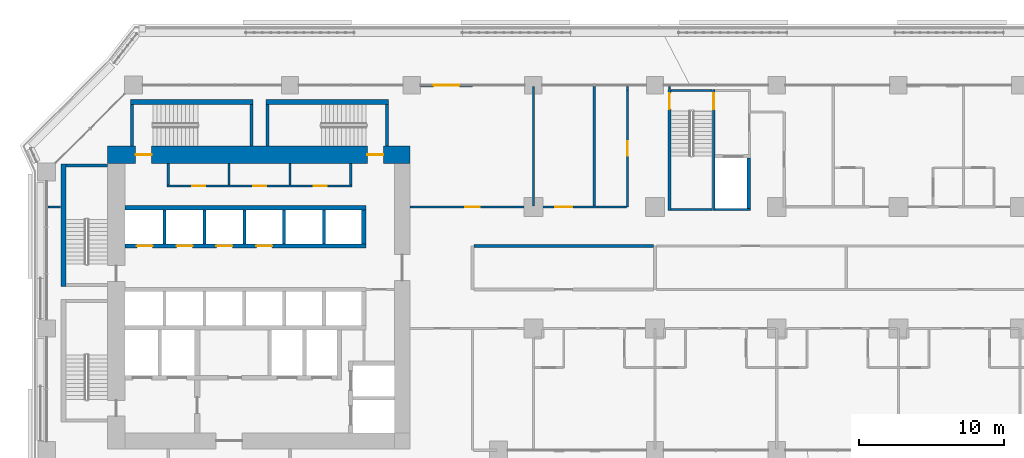
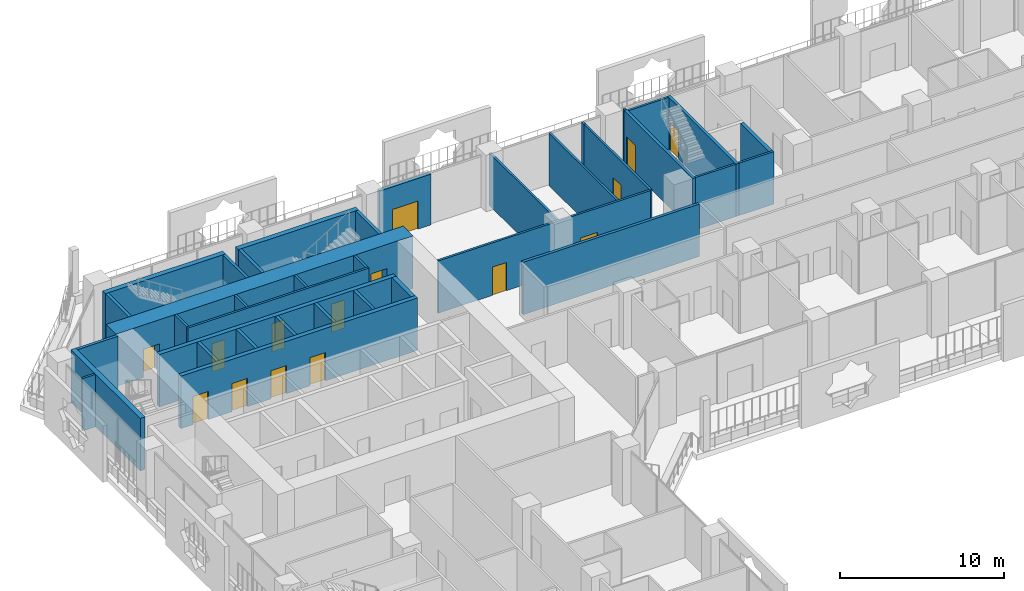
# One storey, part 19 of 29: 37 walls, 15 doors, 15 openings.
"""IFC4 building model written with IfcOpenShell, lengths in metres."""

from ifc_helpers import new_model, si_unit, direction, frame, frame_2d, origin, place, context, subcontext, project, spatial, rectangle, extrude, material, layer, layer_set, type_object, element, fill, save


model = new_model("IFC4")

# Units and contexts
model_context = context("Model", 3, precision=1e-05, world=origin(), true_north=direction((0.0, 1.0)))
body_context = subcontext(model_context, "Body", "Model", "MODEL_VIEW")
ifc_project = project(units=[si_unit("LENGTHUNIT", "METRE"), si_unit("AREAUNIT", "SQUARE_METRE"), si_unit("VOLUMEUNIT", "CUBIC_METRE"), si_unit("PLANEANGLEUNIT", "RADIAN"), si_unit("MASSUNIT", "GRAM", prefix="KILO")], contexts=[model_context])

# Site, building, storey
site_placement = place(None, origin())
site = spatial("IfcSite", under=ifc_project, at=site_placement, CompositionType="ELEMENT")
building_placement = place(site_placement, origin())
building = spatial("IfcBuilding", under=site, at=building_placement, Name="Kawkab Arch Medical Tower", CompositionType="ELEMENT")
storey_placement = place(building_placement, frame((0.0, 0.0, 60.199951171875)))
storey = spatial("IfcBuildingStorey", under=building, at=storey_placement, Name="L13", CompositionType="ELEMENT", Elevation=60.199951171875)

# Wall, openings, doors
ifc_material_1 = material(Name="Concrete C60/75", Category="concrete")
ifc_layer_1 = layer(ifc_material_1, 1.199951171875)
ifc_layer_set_1 = layer_set([ifc_layer_1], Name="Concrete C60/75")
wall_type_1 = type_object("IfcWallType", Name="Core ring wall 1200 C60/75", PredefinedType="SHEAR", material=ifc_layer_set_1)
wall_1_placement = place(storey_placement, frame((4.199951171875, -4.800048828125, 0.0), z_axis=(0.0, 0.0, 1.0), x_axis=(1.0, 0.0, 0.0)))
wall_1 = element("IfcWall", 1, at=wall_1_placement, inside=storey, type_object=wall_type_1, Name="L13 core wall", PredefinedType="SHEAR", context=body_context, shape_type="SweptSolid", body=[
    extrude(rectangle(XDim=20.900146484375, YDim=1.199951171875, at=frame_2d((10.4501953125, 0.0))), origin(), (0.0, 0.0, 1.0), 3.900146484375),
])
opening_1_placement = place(wall_1_placement, frame((1.949951171875, 0.0, 0.0)))
opening_1 = element("IfcOpeningElement", 2, at=opening_1_placement, cuts=wall_1, Name="Opening SD", PredefinedType="OPENING", context=body_context, shape_type="SweptSolid", body=[
    extrude(rectangle(XDim=1.10009765625, YDim=2.10009765625, at=frame_2d((0.550048828125, 1.050048828125))), frame((0.0, 0.60986328125, 0.0), z_axis=(0.0, -1.0, 0.0), x_axis=(1.0, 0.0, 0.0)), (0.0, 0.0, 1.0), 1.219970703125),
])
opening_2_placement = place(wall_1_placement, frame((17.949951171875, 0.0, 0.0)))
opening_2 = element("IfcOpeningElement", 3, at=opening_2_placement, cuts=wall_1, Name="Opening SD", PredefinedType="OPENING", context=body_context, shape_type="SweptSolid", body=[
    extrude(rectangle(XDim=1.10009765625, YDim=2.10009765625, at=frame_2d((0.550048828125, 1.050048828125))), frame((0.0, 0.60986328125, 0.0), z_axis=(0.0, -1.0, 0.0), x_axis=(1.0, 0.0, 0.0)), (0.0, 0.0, 1.0), 1.219970703125),
])
ifc_material_2 = material(Name="Hollow metal fire door leaf")
door_type_1 = type_object("IfcDoorType", Name="Exit stair door 1100", OperationType="SINGLE_SWING_LEFT", PredefinedType="DOOR", material=ifc_material_2)
door_1_placement = place(opening_1_placement, origin())
door_1 = element("IfcDoor", 4, at=door_1_placement, inside=storey, type_object=door_type_1, Name="L13 Exit stair ST3 door", OperationType="SINGLE_SWING_LEFT", OverallHeight=2.10009765625, OverallWidth=1.10009765625, PredefinedType="DOOR", context=body_context, shape_type="SweptSolid", body=[
    extrude(rectangle(XDim=1.10009765625, YDim=2.10009765625, at=frame_2d((0.550048828125, 1.050048828125))), frame((0.0, 0.02490234375, 0.0), z_axis=(0.0, -1.0, 0.0), x_axis=(1.0, 0.0, 0.0)), (0.0, 0.0, 1.0), 0.050048828125),
])
fill(opening_1, door_1)
door_2_placement = place(opening_2_placement, origin())
door_2 = element("IfcDoor", 5, at=door_2_placement, inside=storey, type_object=door_type_1, Name="L13 Exit stair ST4 door", OperationType="SINGLE_SWING_LEFT", OverallHeight=2.10009765625, OverallWidth=1.10009765625, PredefinedType="DOOR", context=body_context, shape_type="SweptSolid", body=[
    extrude(rectangle(XDim=1.10009765625, YDim=2.10009765625, at=frame_2d((0.550048828125, 1.050048828125))), frame((0.0, 0.02490234375, 0.0), z_axis=(0.0, -1.0, 0.0), x_axis=(1.0, 0.0, 0.0)), (0.0, 0.0, 1.0), 0.050048828125),
])
fill(opening_2, door_2)

ifc_material_3 = material(Name="Gypsum board on steel studs", Category="steel")
ifc_layer_2 = layer(ifc_material_3, 0.14990234375)
ifc_layer_set_2 = layer_set([ifc_layer_2], Name="Gypsum board on steel studs")
wall_type_2 = type_object("IfcWallType", Name="Core room partition 150", PredefinedType="PARTITIONING", material=ifc_layer_set_2)
wall_2_placement = place(storey_placement, frame((8.324951171875, -6.949951171875, 0.0), z_axis=(0.0, 0.0, 1.0), x_axis=(1.0, 0.0, 0.0)))
wall_2 = element("IfcWall", 6, at=wall_2_placement, inside=storey, type_object=wall_type_2, Name="L13 core room partition", PredefinedType="PARTITIONING", context=body_context, shape_type="SweptSolid", body=[
    extrude(rectangle(XDim=12.75, YDim=0.14990234375, at=frame_2d((6.375, 0.0))), origin(), (0.0, 0.0, 1.0), 3.900146484375),
])
opening_3_placement = place(wall_2_placement, frame((1.72509765625, 0.0, 0.0)))
opening_3 = element("IfcOpeningElement", 7, at=opening_3_placement, cuts=wall_2, Name="Opening RD", PredefinedType="OPENING", context=body_context, shape_type="SweptSolid", body=[
    extrude(rectangle(XDim=0.89990234375, YDim=2.10009765625, at=frame_2d((0.449951171875, 1.050048828125))), frame((0.0, 0.0849609375, 0.0), z_axis=(0.0, -1.0, 0.0), x_axis=(1.0, 0.0, 0.0)), (0.0, 0.0, 1.0), 0.169921875),
])
opening_4_placement = place(wall_2_placement, frame((5.925048828125, 0.0, 0.0)))
opening_4 = element("IfcOpeningElement", 8, at=opening_4_placement, cuts=wall_2, Name="Opening RD", PredefinedType="OPENING", context=body_context, shape_type="SweptSolid", body=[
    extrude(rectangle(XDim=0.89990234375, YDim=2.10009765625, at=frame_2d((0.449951171875, 1.050048828125))), frame((0.0, 0.0849609375, 0.0), z_axis=(0.0, -1.0, 0.0), x_axis=(1.0, 0.0, 0.0)), (0.0, 0.0, 1.0), 0.169921875),
])
opening_5_placement = place(wall_2_placement, frame((10.125, 0.0, 0.0)))
opening_5 = element("IfcOpeningElement", 9, at=opening_5_placement, cuts=wall_2, Name="Opening RD", PredefinedType="OPENING", context=body_context, shape_type="SweptSolid", body=[
    extrude(rectangle(XDim=0.89990234375, YDim=2.10009765625, at=frame_2d((0.449951171875, 1.050048828125))), frame((0.0, 0.0849609375, 0.0), z_axis=(0.0, -1.0, 0.0), x_axis=(1.0, 0.0, 0.0)), (0.0, 0.0, 1.0), 0.169921875),
])
ifc_material_4 = material(Name="Hollow metal fire door leaf")
door_type_2 = type_object("IfcDoorType", Name="Core room door 900", OperationType="SINGLE_SWING_LEFT", PredefinedType="DOOR", material=ifc_material_4)
door_3_placement = place(opening_3_placement, origin())
door_3 = element("IfcDoor", 10, at=door_3_placement, inside=storey, type_object=door_type_2, Name="L13 Electrical riser room door", OperationType="SINGLE_SWING_LEFT", OverallHeight=2.10009765625, OverallWidth=0.89990234375, PredefinedType="DOOR", context=body_context, shape_type="SweptSolid", body=[
    extrude(rectangle(XDim=0.89990234375, YDim=2.10009765625, at=frame_2d((0.449951171875, 1.050048828125))), frame((0.0, 0.02490234375, 0.0), z_axis=(0.0, -1.0, 0.0), x_axis=(1.0, 0.0, 0.0)), (0.0, 0.0, 1.0), 0.050048828125),
])
fill(opening_3, door_3)
door_4_placement = place(opening_4_placement, origin())
door_4 = element("IfcDoor", 11, at=door_4_placement, inside=storey, type_object=door_type_2, Name="L13 Equipment store door", OperationType="SINGLE_SWING_LEFT", OverallHeight=2.10009765625, OverallWidth=0.89990234375, PredefinedType="DOOR", context=body_context, shape_type="SweptSolid", body=[
    extrude(rectangle(XDim=0.89990234375, YDim=2.10009765625, at=frame_2d((0.449951171875, 1.050048828125))), frame((0.0, 0.02490234375, 0.0), z_axis=(0.0, -1.0, 0.0), x_axis=(1.0, 0.0, 0.0)), (0.0, 0.0, 1.0), 0.050048828125),
])
fill(opening_4, door_4)
door_5_placement = place(opening_5_placement, origin())
door_5 = element("IfcDoor", 12, at=door_5_placement, inside=storey, type_object=door_type_2, Name="L13 Sprinkler valve room door", OperationType="SINGLE_SWING_LEFT", OverallHeight=2.10009765625, OverallWidth=0.89990234375, PredefinedType="DOOR", context=body_context, shape_type="SweptSolid", body=[
    extrude(rectangle(XDim=0.89990234375, YDim=2.10009765625, at=frame_2d((0.449951171875, 1.050048828125))), frame((0.0, 0.02490234375, 0.0), z_axis=(0.0, -1.0, 0.0), x_axis=(1.0, 0.0, 0.0)), (0.0, 0.0, 1.0), 0.050048828125),
])
fill(opening_5, door_5)

# Walls
for number, where, z_axis, x_axis, name in (
    (13, (8.39990234375, -6.875, 0.0), (0.0, 0.0, 1.0), (0.0, 1.0, 0.0), "L13 core room partition"),
    (14, (12.60009765625, -6.875, 0.0), (0.0, 0.0, 1.0), (0.0, 1.0, 0.0), "L13 core room partition"),
    (15, (16.800048828125, -6.875, 0.0), (0.0, 0.0, 1.0), (0.0, 1.0, 0.0), "L13 core room partition"),
    (16, (21.0, -6.875, 0.0), (0.0, 0.0, 1.0), (0.0, 1.0, 0.0), "L13 core room partition"),
):
    element("IfcWall", number, at=place(storey_placement, frame(where, z_axis=z_axis, x_axis=x_axis)), inside=storey, type_object=wall_type_2, Name=name, PredefinedType="PARTITIONING", context=body_context, shape_type="SweptSolid", body=[
        extrude(rectangle(XDim=1.47509765625, YDim=0.14990234375, at=frame_2d((0.737548828125, 0.0))), origin(), (0.0, 0.0, 1.0), 3.900146484375),
    ])
ifc_material_5 = material(Name="Concrete C60/75", Category="concrete")
ifc_layer_3 = layer(ifc_material_5, 0.25)
ifc_layer_set_3 = layer_set([ifc_layer_3], Name="Concrete C60/75")
wall_type_3 = type_object("IfcWallType", Name="Core shear wall 250 C60/75", PredefinedType="SHEAR", material=ifc_layer_set_3)
wall_3_placement = place(storey_placement, frame((48.47509765625, -8.5, 0.0), z_axis=(0.0, 0.0, 1.0), x_axis=(0.0, 1.0, 0.0)))
element("IfcWall", 17, at=wall_3_placement, inside=storey, type_object=wall_type_3, Name="L13 core shear wall", PredefinedType="SHEAR", context=body_context, shape_type="SweptSolid", body=[
    extrude(rectangle(XDim=3.47509765625, YDim=0.25, at=frame_2d((1.737548828125, 0.0))), origin(), (0.0, 0.0, 1.0), 3.900146484375),
])
ifc_material_6 = material(Name="Concrete C60/75", Category="concrete")
ifc_layer_4 = layer(ifc_material_6, 0.300048828125)
ifc_layer_set_4 = layer_set([ifc_layer_4], Name="Concrete C60/75")
wall_type_4 = type_object("IfcWallType", Name="Core shear wall 300 C60/75", PredefinedType="SHEAR", material=ifc_layer_set_4)
wall_4_placement = place(storey_placement, frame((5.39990234375, -8.449951171875, 0.0), z_axis=(0.0, 0.0, 1.0), x_axis=(1.0, 0.0, 0.0)))
element("IfcWall", 18, at=wall_4_placement, inside=storey, type_object=wall_type_4, Name="L13 core shear wall", PredefinedType="SHEAR", context=body_context, shape_type="SweptSolid", body=[
    extrude(rectangle(XDim=16.650146484375, YDim=0.300048828125, at=frame_2d((8.3251953125, 0.0))), origin(), (0.0, 0.0, 1.0), 3.900146484375),
])

# Wall, openings, doors
wall_5_placement = place(storey_placement, frame((5.39990234375, -11.10009765625, 0.0), z_axis=(0.0, 0.0, 1.0), x_axis=(1.0, 0.0, 0.0)))
wall_5 = element("IfcWall", 19, at=wall_5_placement, inside=storey, type_object=wall_type_4, Name="L13 core shear wall", PredefinedType="SHEAR", context=body_context, shape_type="SweptSolid", body=[
    extrude(rectangle(XDim=16.650146484375, YDim=0.300048828125, at=frame_2d((8.3251953125, 0.0))), origin(), (0.0, 0.0, 1.0), 3.900146484375),
])
opening_6_placement = place(wall_5_placement, frame((0.824951171875, 0.0, 0.0)))
opening_6 = element("IfcOpeningElement", 20, at=opening_6_placement, cuts=wall_5, Name="Opening LD1", PredefinedType="OPENING", context=body_context, shape_type="SweptSolid", body=[
    extrude(rectangle(XDim=1.10009765625, YDim=2.10009765625, at=frame_2d((0.550048828125, 1.050048828125))), frame((0.0, 0.159912109375, 0.0), z_axis=(0.0, -1.0, 0.0), x_axis=(1.0, 0.0, 0.0)), (0.0, 0.0, 1.0), 0.320068359375),
])
opening_7_placement = place(wall_5_placement, frame((3.574951171875, 0.0, 0.0)))
opening_7 = element("IfcOpeningElement", 21, at=opening_7_placement, cuts=wall_5, Name="Opening LD1", PredefinedType="OPENING", context=body_context, shape_type="SweptSolid", body=[
    extrude(rectangle(XDim=1.10009765625, YDim=2.10009765625, at=frame_2d((0.550048828125, 1.050048828125))), frame((0.0, 0.159912109375, 0.0), z_axis=(0.0, -1.0, 0.0), x_axis=(1.0, 0.0, 0.0)), (0.0, 0.0, 1.0), 0.320068359375),
])
opening_8_placement = place(wall_5_placement, frame((6.324951171875, 0.0, 0.0)))
opening_8 = element("IfcOpeningElement", 22, at=opening_8_placement, cuts=wall_5, Name="Opening LD1", PredefinedType="OPENING", context=body_context, shape_type="SweptSolid", body=[
    extrude(rectangle(XDim=1.10009765625, YDim=2.10009765625, at=frame_2d((0.550048828125, 1.050048828125))), frame((0.0, 0.159912109375, 0.0), z_axis=(0.0, -1.0, 0.0), x_axis=(1.0, 0.0, 0.0)), (0.0, 0.0, 1.0), 0.320068359375),
])
opening_9_placement = place(wall_5_placement, frame((9.074951171875, 0.0, 0.0)))
opening_9 = element("IfcOpeningElement", 23, at=opening_9_placement, cuts=wall_5, Name="Opening LD1", PredefinedType="OPENING", context=body_context, shape_type="SweptSolid", body=[
    extrude(rectangle(XDim=1.10009765625, YDim=2.10009765625, at=frame_2d((0.550048828125, 1.050048828125))), frame((0.0, 0.159912109375, 0.0), z_axis=(0.0, -1.0, 0.0), x_axis=(1.0, 0.0, 0.0)), (0.0, 0.0, 1.0), 0.320068359375),
])
ifc_material_7 = material(Name="Stainless steel lift door leaf", Category="steel")
door_type_3 = type_object("IfcDoorType", Name="Lift landing door 1100", OperationType="DOUBLE_DOOR_SLIDING", PredefinedType="DOOR", material=ifc_material_7)
door_6_placement = place(opening_6_placement, origin())
door_6 = element("IfcDoor", 24, at=door_6_placement, inside=storey, type_object=door_type_3, Name="L13 Lift landing door LP1", OperationType="DOUBLE_DOOR_SLIDING", OverallHeight=2.10009765625, OverallWidth=1.10009765625, PredefinedType="DOOR", context=body_context, shape_type="SweptSolid", body=[
    extrude(rectangle(XDim=1.10009765625, YDim=2.10009765625, at=frame_2d((0.550048828125, 1.050048828125))), frame((0.0, 0.02490234375, 0.0), z_axis=(0.0, -1.0, 0.0), x_axis=(1.0, 0.0, 0.0)), (0.0, 0.0, 1.0), 0.050048828125),
])
fill(opening_6, door_6)
door_7_placement = place(opening_7_placement, origin())
door_7 = element("IfcDoor", 25, at=door_7_placement, inside=storey, type_object=door_type_3, Name="L13 Lift landing door LP2", OperationType="DOUBLE_DOOR_SLIDING", OverallHeight=2.10009765625, OverallWidth=1.10009765625, PredefinedType="DOOR", context=body_context, shape_type="SweptSolid", body=[
    extrude(rectangle(XDim=1.10009765625, YDim=2.10009765625, at=frame_2d((0.550048828125, 1.050048828125))), frame((0.0, 0.02490234375, 0.0), z_axis=(0.0, -1.0, 0.0), x_axis=(1.0, 0.0, 0.0)), (0.0, 0.0, 1.0), 0.050048828125),
])
fill(opening_7, door_7)
door_8_placement = place(opening_8_placement, origin())
door_8 = element("IfcDoor", 26, at=door_8_placement, inside=storey, type_object=door_type_3, Name="L13 Lift landing door LP3", OperationType="DOUBLE_DOOR_SLIDING", OverallHeight=2.10009765625, OverallWidth=1.10009765625, PredefinedType="DOOR", context=body_context, shape_type="SweptSolid", body=[
    extrude(rectangle(XDim=1.10009765625, YDim=2.10009765625, at=frame_2d((0.550048828125, 1.050048828125))), frame((0.0, 0.02490234375, 0.0), z_axis=(0.0, -1.0, 0.0), x_axis=(1.0, 0.0, 0.0)), (0.0, 0.0, 1.0), 0.050048828125),
])
fill(opening_8, door_8)
door_9_placement = place(opening_9_placement, origin())
door_9 = element("IfcDoor", 27, at=door_9_placement, inside=storey, type_object=door_type_3, Name="L13 Lift landing door LP4", OperationType="DOUBLE_DOOR_SLIDING", OverallHeight=2.10009765625, OverallWidth=1.10009765625, PredefinedType="DOOR", context=body_context, shape_type="SweptSolid", body=[
    extrude(rectangle(XDim=1.10009765625, YDim=2.10009765625, at=frame_2d((0.550048828125, 1.050048828125))), frame((0.0, 0.02490234375, 0.0), z_axis=(0.0, -1.0, 0.0), x_axis=(1.0, 0.0, 0.0)), (0.0, 0.0, 1.0), 0.050048828125),
])
fill(opening_9, door_9)

# Wall
wall_6_placement = place(storey_placement, frame((21.89990234375, -10.949951171875, 0.0), z_axis=(0.0, 0.0, 1.0), x_axis=(0.0, 1.0, 0.0)))
element("IfcWall", 28, at=wall_6_placement, inside=storey, type_object=wall_type_4, Name="L13 core shear wall", PredefinedType="SHEAR", context=body_context, shape_type="SweptSolid", body=[
    extrude(rectangle(XDim=2.349853515625, YDim=0.300048828125, at=frame_2d((1.1748046875, 0.0))), origin(), (0.0, 0.0, 1.0), 3.900146484375),
])

# Wall, opening, door
ifc_material_8 = material(Name="Bronze clad insulated wall panel")
ifc_layer_5 = layer(ifc_material_8, 0.25)
ifc_layer_set_5 = layer_set([ifc_layer_5], Name="Bronze clad insulated wall panel")
wall_type_5 = type_object("IfcWallType", Name="External wall bay 250", PredefinedType="SOLIDWALL", material=ifc_layer_set_5)
wall_7_placement = place(storey_placement, frame((29.39990234375, 0.0, 0.0), z_axis=(0.0, 0.0, 1.0), x_axis=(-1.0, 0.0, 0.0)))
wall_7 = element("IfcWall", 29, at=wall_7_placement, inside=storey, type_object=wall_type_5, Name="External wall bay L13.R11.6.2", PredefinedType="SOLIDWALL", context=body_context, shape_type="SweptSolid", body=[
    extrude(rectangle(XDim=3.599853515625, YDim=0.25, at=frame_2d((1.7998046875, 0.0))), origin(), (0.0, 0.0, 1.0), 3.780029296875),
])
opening_10_placement = place(wall_7_placement, frame((0.89990234375, 0.0, 0.0)))
opening_10 = element("IfcOpeningElement", 30, at=opening_10_placement, cuts=wall_7, Name="Opening W13A-702", PredefinedType="OPENING", context=body_context, shape_type="SweptSolid", body=[
    extrude(rectangle(XDim=1.800048828125, YDim=2.10009765625, at=frame_2d((0.89990234375, 1.050048828125))), frame((0.0, 0.135009765625, 0.0), z_axis=(0.0, -1.0, 0.0), x_axis=(1.0, 0.0, 0.0)), (0.0, 0.0, 1.0), 0.27001953125),
])
ifc_material_9 = material(Name="Bronze anodised aluminium door with tinted glass", Category="aluminium")
door_type_4 = type_object("IfcDoorType", Name="Double external door 1800 x 2100", OperationType="DOUBLE_DOOR_SINGLE_SWING", PredefinedType="DOOR", material=ifc_material_9)
door_10_placement = place(opening_10_placement, origin())
door_10 = element("IfcDoor", 31, at=door_10_placement, inside=storey, type_object=door_type_4, Name="External door L13.R11.6.2", OperationType="DOUBLE_DOOR_SINGLE_SWING", OverallHeight=2.10009765625, OverallWidth=1.800048828125, PredefinedType="DOOR", context=body_context, shape_type="SweptSolid", body=[
    extrude(rectangle(XDim=1.800048828125, YDim=2.10009765625, at=frame_2d((0.89990234375, 1.050048828125))), frame((0.0, 0.02490234375, 0.0), z_axis=(0.0, -1.0, 0.0), x_axis=(1.0, 0.0, 0.0)), (0.0, 0.0, 1.0), 0.050048828125),
])
fill(opening_10, door_10)

# Walls
ifc_material_10 = material(Name="Dense concrete blockwork", Category="masonry")
ifc_layer_6 = layer(ifc_material_10, 0.199951171875)
ifc_layer_set_6 = layer_set([ifc_layer_6], Name="Dense concrete blockwork")
wall_type_6 = type_object("IfcWallType", Name="Lift shaft partition 200", PredefinedType="PARTITIONING", material=ifc_layer_set_6)
for number, where, z_axis, x_axis, name in (
    (32, (8.14990234375, -10.949951171875, 0.0), (0.0, 0.0, 1.0), (0.0, 1.0, 0.0), "L13 lift shaft partition"),
    (33, (10.89990234375, -10.949951171875, 0.0), (0.0, 0.0, 1.0), (0.0, 1.0, 0.0), "L13 lift shaft partition"),
    (34, (13.64990234375, -10.949951171875, 0.0), (0.0, 0.0, 1.0), (0.0, 1.0, 0.0), "L13 lift shaft partition"),
    (35, (16.39990234375, -10.949951171875, 0.0), (0.0, 0.0, 1.0), (0.0, 1.0, 0.0), "L13 lift shaft partition"),
    (36, (19.14990234375, -10.949951171875, 0.0), (0.0, 0.0, 1.0), (0.0, 1.0, 0.0), "L13 lift shaft partition"),
):
    element("IfcWall", number, at=place(storey_placement, frame(where, z_axis=z_axis, x_axis=x_axis)), inside=storey, type_object=wall_type_6, Name=name, PredefinedType="PARTITIONING", context=body_context, shape_type="SweptSolid", body=[
        extrude(rectangle(XDim=2.349853515625, YDim=0.199951171875, at=frame_2d((1.1748046875, 0.0))), origin(), (0.0, 0.0, 1.0), 3.900146484375),
    ])
ifc_material_11 = material(Name="Gypsum board partition on steel studs, mineral wool", Category="steel")
ifc_layer_7 = layer(ifc_material_11, 0.14990234375)
ifc_layer_set_7 = layer_set([ifc_layer_7], Name="Gypsum board partition on steel studs, mineral wool")
wall_type_7 = type_object("IfcWallType", Name="Partition 150", PredefinedType="PARTITIONING", material=ifc_layer_set_7)
wall_8_placement = place(storey_placement, frame((0.080078125, -8.39990234375, 0.0), z_axis=(0.0, 0.0, 1.0), x_axis=(1.0, 0.0, 0.0)))
element("IfcWall", 37, at=wall_8_placement, inside=storey, type_object=wall_type_7, Name="Partition 150 w079", PredefinedType="PARTITIONING", context=body_context, shape_type="SweptSolid", body=[
    extrude(rectangle(XDim=0.889892578125, YDim=0.14990234375, at=frame_2d((0.44482421875, 0.0))), origin(), (0.0, 0.0, 1.0), 3.900146484375),
])

# Wall, openings, doors
wall_9_placement = place(storey_placement, frame((25.10009765625, -8.39990234375, 0.0), z_axis=(0.0, 0.0, 1.0), x_axis=(1.0, 0.0, 0.0)))
wall_9 = element("IfcWall", 38, at=wall_9_placement, inside=storey, type_object=wall_type_7, Name="Partition 150 w080", PredefinedType="PARTITIONING", context=body_context, shape_type="SweptSolid", body=[
    extrude(rectangle(XDim=14.931884765625, YDim=0.14990234375, at=frame_2d((7.4658203125, 0.0))), origin(), (0.0, 0.0, 1.0), 3.900146484375),
])
opening_11_placement = place(wall_9_placement, frame((3.800048828125, 0.0, 0.0)))
opening_11 = element("IfcOpeningElement", 39, at=opening_11_placement, cuts=wall_9, Name="Opening W13A-024", PredefinedType="OPENING", context=body_context, shape_type="SweptSolid", body=[
    extrude(rectangle(XDim=1.0, YDim=2.10009765625, at=frame_2d((0.5, 1.050048828125))), frame((0.0, 0.0849609375, 0.0), z_axis=(0.0, -1.0, 0.0), x_axis=(1.0, 0.0, 0.0)), (0.0, 0.0, 1.0), 0.169921875),
])
opening_12_placement = place(wall_9_placement, frame((10.0, 0.0, 0.0)))
opening_12 = element("IfcOpeningElement", 40, at=opening_12_placement, cuts=wall_9, Name="Opening W13A-039", PredefinedType="OPENING", context=body_context, shape_type="SweptSolid", body=[
    extrude(rectangle(XDim=1.199951171875, YDim=2.10009765625, at=frame_2d((0.60009765625, 1.050048828125))), frame((0.0, 0.0849609375, 0.0), z_axis=(0.0, -1.0, 0.0), x_axis=(1.0, 0.0, 0.0)), (0.0, 0.0, 1.0), 0.169921875),
])
ifc_material_12 = material(Name="Hollow metal door leaf")
door_type_5 = type_object("IfcDoorType", Name="Single door 1000x2100 FD30S", OperationType="NOTDEFINED", PredefinedType="DOOR", material=ifc_material_12)
door_11_placement = place(opening_11_placement, origin())
door_11 = element("IfcDoor", 41, at=door_11_placement, inside=storey, type_object=door_type_5, Name="Door W13A-024", OperationType="SINGLE_SWING_LEFT", OverallHeight=2.10009765625, OverallWidth=1.0, PredefinedType="DOOR", context=body_context, shape_type="SweptSolid", body=[
    extrude(rectangle(XDim=1.0, YDim=2.10009765625, at=frame_2d((0.5, 1.050048828125))), frame((0.0, 0.02490234375, 0.0), z_axis=(0.0, -1.0, 0.0), x_axis=(1.0, 0.0, 0.0)), (0.0, 0.0, 1.0), 0.050048828125),
])
fill(opening_11, door_11)
ifc_material_13 = material(Name="Hollow metal door leaf")
door_type_6 = type_object("IfcDoorType", Name="Single door 1200x2100 FD30S", OperationType="NOTDEFINED", PredefinedType="DOOR", material=ifc_material_13)
door_12_placement = place(opening_12_placement, origin())
door_12 = element("IfcDoor", 42, at=door_12_placement, inside=storey, type_object=door_type_6, Name="Door W13A-039", OperationType="SINGLE_SWING_RIGHT", OverallHeight=2.10009765625, OverallWidth=1.199951171875, PredefinedType="DOOR", context=body_context, shape_type="SweptSolid", body=[
    extrude(rectangle(XDim=1.199951171875, YDim=2.10009765625, at=frame_2d((0.60009765625, 1.050048828125))), frame((0.0, 0.02490234375, 0.0), z_axis=(0.0, -1.0, 0.0), x_axis=(1.0, 0.0, 0.0)), (0.0, 0.0, 1.0), 0.050048828125),
])
fill(opening_12, door_12)

# Walls
for number, where, z_axis, x_axis, name in (
    (43, (33.60009765625, -8.324951171875, 0.0), (0.0, 0.0, 1.0), (0.0, 1.0, 0.0), "Partition 150 w098"),
    (44, (37.800048828125, -8.324951171875, 0.0), (0.0, 0.0, 1.0), (0.0, 1.0, 0.0), "Partition 150 w100"),
):
    element("IfcWall", number, at=place(storey_placement, frame(where, z_axis=z_axis, x_axis=x_axis)), inside=storey, type_object=wall_type_7, Name=name, PredefinedType="PARTITIONING", context=body_context, shape_type="SweptSolid", body=[
        extrude(rectangle(XDim=8.244873046875, YDim=0.14990234375, at=frame_2d((4.12255859375, 0.0))), origin(), (0.0, 0.0, 1.0), 3.900146484375),
    ])

# Wall, opening, door
wall_10_placement = place(storey_placement, frame((40.10693359375, -8.39990234375, 0.0), z_axis=(0.0, 0.0, 1.0), x_axis=(0.0, 1.0, 0.0)))
wall_10 = element("IfcWall", 45, at=wall_10_placement, inside=storey, type_object=wall_type_7, Name="Partition 150 w101", PredefinedType="PARTITIONING", context=body_context, shape_type="SweptSolid", body=[
    extrude(rectangle(XDim=8.0478515625, YDim=0.14990234375, at=frame_2d((4.02392578125, 0.0))), origin(), (0.0, 0.0, 1.0), 3.900146484375),
])
opening_13_placement = place(wall_10_placement, frame((3.52392578125, 0.0, 0.0)))
opening_13 = element("IfcOpeningElement", 46, at=opening_13_placement, cuts=wall_10, Name="Opening W13A-025", PredefinedType="OPENING", context=body_context, shape_type="SweptSolid", body=[
    extrude(rectangle(XDim=1.0, YDim=2.10009765625, at=frame_2d((0.5, 1.050048828125))), frame((0.0, 0.0849609375, 0.0), z_axis=(0.0, -1.0, 0.0), x_axis=(1.0, 0.0, 0.0)), (0.0, 0.0, 1.0), 0.169921875),
])
door_13_placement = place(opening_13_placement, origin())
door_13 = element("IfcDoor", 47, at=door_13_placement, inside=storey, type_object=door_type_5, Name="Door W13A-025", OperationType="SINGLE_SWING_RIGHT", OverallHeight=2.10009765625, OverallWidth=1.0, PredefinedType="DOOR", context=body_context, shape_type="SweptSolid", body=[
    extrude(rectangle(XDim=1.0, YDim=2.10009765625, at=frame_2d((0.5, 1.050048828125))), frame((0.0, 0.02490234375, 0.0), z_axis=(0.0, -1.0, 0.0), x_axis=(1.0, 0.0, 0.0)), (0.0, 0.0, 1.0), 0.050048828125),
])
fill(opening_13, door_13)

# Walls
wall_11_placement = place(storey_placement, frame((40.10693359375, -0.35009765625, 0.0), z_axis=(0.0, 0.0, 1.0), x_axis=(0.0, 1.0, 0.0)))
element("IfcWall", 48, at=wall_11_placement, inside=storey, type_object=wall_type_7, Name="Partition 150 w102", PredefinedType="PARTITIONING", context=body_context, shape_type="SweptSolid", body=[
    extrude(rectangle(XDim=0.27001953125, YDim=0.14990234375, at=frame_2d((0.135009765625, 0.0))), origin(), (0.0, 0.0, 1.0), 3.900146484375),
])
wall_12_placement = place(storey_placement, frame((43.0, -0.27001953125, 0.0), z_axis=(0.0, 0.0, 1.0), x_axis=(0.0, 1.0, 0.0)))
element("IfcWall", 49, at=wall_12_placement, inside=storey, type_object=wall_type_7, Name="Partition 150 w105", PredefinedType="PARTITIONING", context=body_context, shape_type="SweptSolid", body=[
    extrude(rectangle(XDim=0.18994140625, YDim=0.14990234375, at=frame_2d((0.094970703125, 0.0))), origin(), (0.0, 0.0, 1.0), 3.900146484375),
])
ifc_material_14 = material(Name="Fire-rated gypsum board partition on steel studs", Category="steel")
ifc_layer_8 = layer(ifc_material_14, 0.199951171875)
ifc_layer_set_8 = layer_set([ifc_layer_8], Name="Fire-rated gypsum board partition on steel studs")
wall_type_8 = type_object("IfcWallType", Name="Protected partition 200", PredefinedType="PARTITIONING", material=ifc_layer_set_8)
wall_13_placement = place(storey_placement, frame((29.5, -11.10009765625, 0.0), z_axis=(0.0, 0.0, 1.0), x_axis=(1.0, 0.0, 0.0)))
element("IfcWall", 50, at=wall_13_placement, inside=storey, type_object=wall_type_8, Name="Protected partition 200 w123", PredefinedType="PARTITIONING", context=body_context, shape_type="SweptSolid", body=[
    extrude(rectangle(XDim=12.39990234375, YDim=0.199951171875, at=frame_2d((6.199951171875, 0.0))), origin(), (0.0, 0.0, 1.0), 3.900146484375),
])
ifc_material_15 = material(Name="Concrete C50/60", Category="concrete")
ifc_layer_9 = layer(ifc_material_15, 0.14990234375)
ifc_layer_set_9 = layer_set([ifc_layer_9], Name="Concrete C50/60")
wall_type_9 = type_object("IfcWallType", Name="Stair enclosure wall 150 C50/60", PredefinedType="SHEAR", material=ifc_layer_set_9)
for number, where, z_axis, x_axis, name in (
    (51, (43.10009765625, -0.375, 0.0), (0.0, 0.0, 1.0), (1.0, 0.0, 0.0), "L13 stair enclosure wall"),
    (52, (43.10009765625, -8.574951171875, 0.0), (0.0, 0.0, 1.0), (1.0, 0.0, 0.0), "L13 stair enclosure wall"),
):
    element("IfcWall", number, at=place(storey_placement, frame(where, z_axis=z_axis, x_axis=x_axis)), inside=storey, type_object=wall_type_9, Name=name, PredefinedType="SHEAR", context=body_context, shape_type="SweptSolid", body=[
        extrude(rectangle(XDim=2.849853515625, YDim=0.14990234375, at=frame_2d((1.4248046875, 0.0))), origin(), (0.0, 0.0, 1.0), 3.900146484375),
    ])
wall_14_placement = place(storey_placement, frame((46.14990234375, -8.574951171875, 0.0), z_axis=(0.0, 0.0, 1.0), x_axis=(1.0, 0.0, 0.0)))
element("IfcWall", 53, at=wall_14_placement, inside=storey, type_object=wall_type_9, Name="L13 stair enclosure wall", PredefinedType="SHEAR", context=body_context, shape_type="SweptSolid", body=[
    extrude(rectangle(XDim=2.4501953125, YDim=0.14990234375, at=frame_2d((1.22509765625, 0.0))), origin(), (0.0, 0.0, 1.0), 3.900146484375),
])
ifc_material_16 = material(Name="Concrete C50/60", Category="concrete")
ifc_layer_10 = layer(ifc_material_16, 0.199951171875)
ifc_layer_set_10 = layer_set([ifc_layer_10], Name="Concrete C50/60")
wall_type_10 = type_object("IfcWallType", Name="Stair enclosure wall 200 C50/60", PredefinedType="SHEAR", material=ifc_layer_set_10)
for number, where, z_axis, x_axis, name in (
    (54, (1.35009765625, -5.550048828125, 0.0), (0.0, 0.0, 1.0), (1.0, 0.0, 0.0), "L13 stair enclosure wall"),
    (55, (5.89990234375, -4.199951171875, 0.0), (0.0, 0.0, 1.0), (0.0, 1.0, 0.0), "L13 stair enclosure wall"),
    (56, (14.14990234375, -4.199951171875, 0.0), (0.0, 0.0, 1.0), (0.0, 1.0, 0.0), "L13 stair enclosure wall"),
    (57, (15.25, -4.199951171875, 0.0), (0.0, 0.0, 1.0), (0.0, 1.0, 0.0), "L13 stair enclosure wall"),
    (58, (23.5, -4.199951171875, 0.0), (0.0, 0.0, 1.0), (0.0, 1.0, 0.0), "L13 stair enclosure wall"),
):
    element("IfcWall", number, at=place(storey_placement, frame(where, z_axis=z_axis, x_axis=x_axis)), inside=storey, type_object=wall_type_10, Name=name, PredefinedType="SHEAR", context=body_context, shape_type="SweptSolid", body=[
        extrude(rectangle(XDim=2.849853515625, YDim=0.199951171875, at=frame_2d((1.4248046875, 0.0))), origin(), (0.0, 0.0, 1.0), 3.900146484375),
    ])

# Wall, opening, door
wall_15_placement = place(storey_placement, frame((43.0, -8.64990234375, 0.0), z_axis=(0.0, 0.0, 1.0), x_axis=(0.0, 1.0, 0.0)))
wall_15 = element("IfcWall", 59, at=wall_15_placement, inside=storey, type_object=wall_type_10, Name="L13 stair enclosure wall", PredefinedType="SHEAR", context=body_context, shape_type="SweptSolid", body=[
    extrude(rectangle(XDim=8.349853515625, YDim=0.199951171875, at=frame_2d((4.1748046875, 0.0))), origin(), (0.0, 0.0, 1.0), 3.900146484375),
])
opening_14_placement = place(wall_15_placement, frame((7.0, 0.0, 0.0)))
opening_14 = element("IfcOpeningElement", 60, at=opening_14_placement, cuts=wall_15, Name="Opening SD", PredefinedType="OPENING", context=body_context, shape_type="SweptSolid", body=[
    extrude(rectangle(XDim=1.10009765625, YDim=2.10009765625, at=frame_2d((0.550048828125, 1.050048828125))), frame((0.0, 0.10986328125, 0.0), z_axis=(0.0, -1.0, 0.0), x_axis=(1.0, 0.0, 0.0)), (0.0, 0.0, 1.0), 0.219970703125),
])
door_14_placement = place(opening_14_placement, frame((1.10009765625, 0.0, 0.0), z_axis=(0.0, 0.0, 1.0), x_axis=(-1.0, 0.0, 0.0)))
door_14 = element("IfcDoor", 61, at=door_14_placement, inside=storey, type_object=door_type_1, Name="L13 Exit stair ST5 door", OperationType="SINGLE_SWING_LEFT", OverallHeight=2.10009765625, OverallWidth=1.10009765625, PredefinedType="DOOR", context=body_context, shape_type="SweptSolid", body=[
    extrude(rectangle(XDim=1.10009765625, YDim=2.10009765625, at=frame_2d((0.550048828125, 1.050048828125))), frame((0.0, 0.02490234375, 0.0), z_axis=(0.0, -1.0, 0.0), x_axis=(1.0, 0.0, 0.0)), (0.0, 0.0, 1.0), 0.050048828125),
])
fill(opening_14, door_14)

wall_16_placement = place(storey_placement, frame((46.050048828125, -8.64990234375, 0.0), z_axis=(0.0, 0.0, 1.0), x_axis=(0.0, 1.0, 0.0)))
wall_16 = element("IfcWall", 62, at=wall_16_placement, inside=storey, type_object=wall_type_10, Name="L13 stair enclosure wall", PredefinedType="SHEAR", context=body_context, shape_type="SweptSolid", body=[
    extrude(rectangle(XDim=8.349853515625, YDim=0.199951171875, at=frame_2d((4.1748046875, 0.0))), origin(), (0.0, 0.0, 1.0), 3.900146484375),
])
opening_15_placement = place(wall_16_placement, frame((7.0, 0.0, 0.0)))
opening_15 = element("IfcOpeningElement", 63, at=opening_15_placement, cuts=wall_16, Name="Opening SD", PredefinedType="OPENING", context=body_context, shape_type="SweptSolid", body=[
    extrude(rectangle(XDim=1.10009765625, YDim=2.10009765625, at=frame_2d((0.550048828125, 1.050048828125))), frame((0.0, 0.10986328125, 0.0), z_axis=(0.0, -1.0, 0.0), x_axis=(1.0, 0.0, 0.0)), (0.0, 0.0, 1.0), 0.219970703125),
])
door_15_placement = place(opening_15_placement, origin())
door_15 = element("IfcDoor", 64, at=door_15_placement, inside=storey, type_object=door_type_1, Name="L13 Exit stair ST5 lobby door", OperationType="SINGLE_SWING_LEFT", OverallHeight=2.10009765625, OverallWidth=1.10009765625, PredefinedType="DOOR", context=body_context, shape_type="SweptSolid", body=[
    extrude(rectangle(XDim=1.10009765625, YDim=2.10009765625, at=frame_2d((0.550048828125, 1.050048828125))), frame((0.0, 0.02490234375, 0.0), z_axis=(0.0, -1.0, 0.0), x_axis=(1.0, 0.0, 0.0)), (0.0, 0.0, 1.0), 0.050048828125),
])
fill(opening_15, door_15)

# Walls
ifc_material_17 = material(Name="Concrete C50/60", Category="concrete")
ifc_layer_11 = layer(ifc_material_17, 0.35009765625)
ifc_layer_set_11 = layer_set([ifc_layer_11], Name="Concrete C50/60")
wall_type_11 = type_object("IfcWallType", Name="Stair enclosure wall 350 C50/60", PredefinedType="SHEAR", material=ifc_layer_set_11)
for number, where, z_axis, x_axis, name in (
    (65, (1.175048828125, -13.89990234375, 0.0), (0.0, 0.0, 1.0), (0.0, 1.0, 0.0), "L13 stair enclosure wall"),
    (66, (5.800048828125, -1.175048828125, 0.0), (0.0, 0.0, 1.0), (1.0, 0.0, 0.0), "L13 stair enclosure wall"),
):
    element("IfcWall", number, at=place(storey_placement, frame(where, z_axis=z_axis, x_axis=x_axis)), inside=storey, type_object=wall_type_11, Name=name, PredefinedType="SHEAR", context=body_context, shape_type="SweptSolid", body=[
        extrude(rectangle(XDim=8.449951171875, YDim=0.35009765625, at=frame_2d((4.22509765625, 0.0))), origin(), (0.0, 0.0, 1.0), 3.900146484375),
    ])
wall_17_placement = place(storey_placement, frame((15.14990234375, -1.175048828125, 0.0), z_axis=(0.0, 0.0, 1.0), x_axis=(1.0, 0.0, 0.0)))
element("IfcWall", 67, at=wall_17_placement, inside=storey, type_object=wall_type_11, Name="L13 stair enclosure wall", PredefinedType="SHEAR", context=body_context, shape_type="SweptSolid", body=[
    extrude(rectangle(XDim=8.4501953125, YDim=0.35009765625, at=frame_2d((4.22509765625, 0.0))), origin(), (0.0, 0.0, 1.0), 3.900146484375),
])

save(model, "model.ifc")
